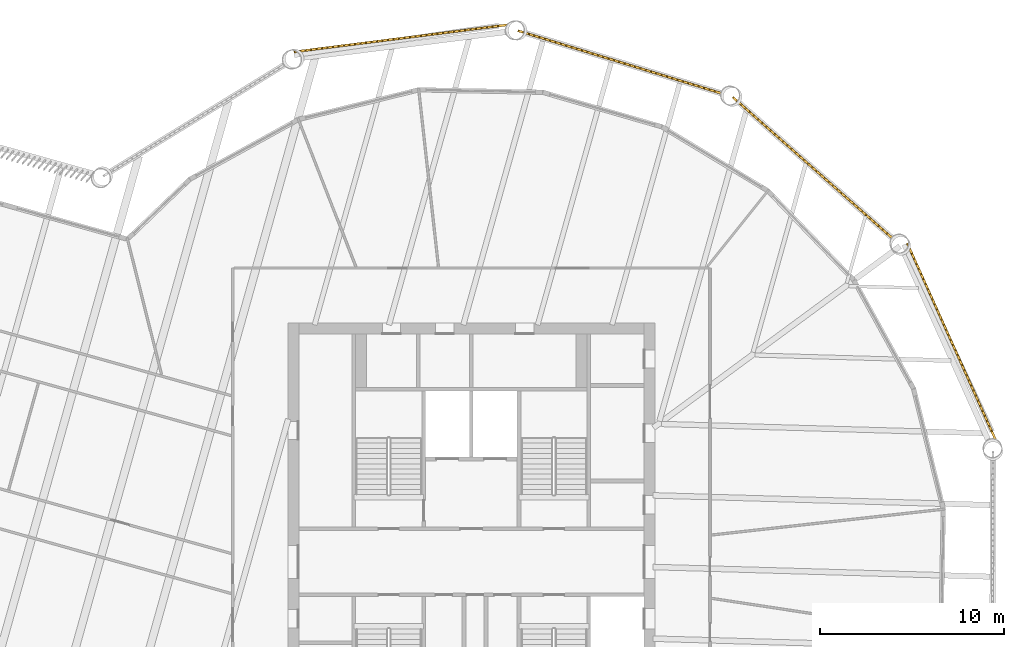
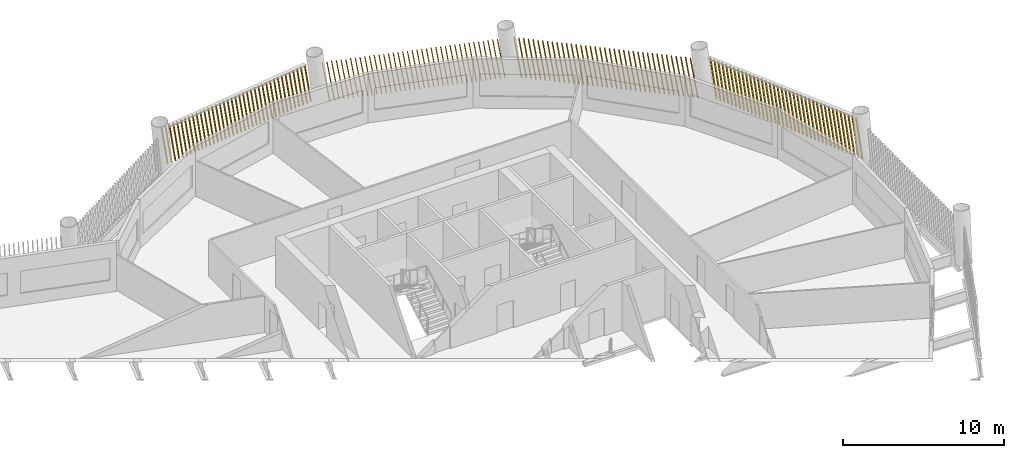
# One storey, part 14 of 15: 4 shading devices.
"""IFC4 building model written with IfcOpenShell, lengths in metres."""

from ifc_helpers import new_model, si_unit, direction, frame, frame_2d, origin, place, context, subcontext, project, spatial, rectangle, composite_profile, extrude, material, type_object, element, save


model = new_model("IFC4")

# Units and contexts
model_context = context("Model", 3, precision=1e-05, world=origin(), true_north=direction((0.0, 1.0)))
body_context = subcontext(model_context, "Body", "Model", "MODEL_VIEW")
ifc_project = project(units=[si_unit("LENGTHUNIT", "METRE"), si_unit("AREAUNIT", "SQUARE_METRE"), si_unit("VOLUMEUNIT", "CUBIC_METRE"), si_unit("PLANEANGLEUNIT", "RADIAN"), si_unit("MASSUNIT", "GRAM", prefix="KILO")], contexts=[model_context])

# Site, building, storey
site_placement = place(None, origin())
site = spatial("IfcSite", under=ifc_project, at=site_placement, CompositionType="ELEMENT")
building_placement = place(site_placement, origin())
building = spatial("IfcBuilding", under=site, at=building_placement, Name="Tarsis Ring Headquarters", CompositionType="ELEMENT")
storey_placement = place(building_placement, frame((0.0, 0.0, 219.89990234375)))
storey = spatial("IfcBuildingStorey", under=building, at=storey_placement, Name="L51", CompositionType="ELEMENT", Elevation=219.89990234375)

# Shading devices
ifc_material = material(Name="Terracotta baguette", Category="masonry")
shading_device_type = type_object("IfcShadingDeviceType", Name="Terracotta baguette screen", PredefinedType="USERDEFINED", material=ifc_material)
shading_device_1_placement = place(storey_placement, frame((28.549072265625, 6.657958984375, 0.0), z_axis=(0.0, 0.0, 1.0), x_axis=(-0.409744981009, 0.912208355941, 0.0)))
element("IfcShadingDevice", 1, at=shading_device_1_placement, inside=storey, type_object=shading_device_type, Name="Baguette screen L51-10", ObjectType="Terracotta baguette screen", PredefinedType="USERDEFINED", context=body_context, shape_type="SweptSolid", body=[
    extrude(composite_profile([rectangle(XDim=0.06005859375, YDim=0.1201171875, at=frame_2d((0.030029296875, 0.0))), rectangle(XDim=0.06005859375, YDim=0.1201171875, at=frame_2d((0.33251953125, 0.0))), rectangle(XDim=0.06005859375, YDim=0.1201171875, at=frame_2d((0.634765625, 0.0))), rectangle(XDim=0.06005859375, YDim=0.1201171875, at=frame_2d((0.937255859375, 0.0))), rectangle(XDim=0.06005859375, YDim=0.1201171875, at=frame_2d((1.239501953125, 0.0))), rectangle(XDim=0.06005859375, YDim=0.1201171875, at=frame_2d((1.5419921875, 0.0))), rectangle(XDim=0.06005859375, YDim=0.1201171875, at=frame_2d((1.844482421875, 0.0))), rectangle(XDim=0.06005859375, YDim=0.1201171875, at=frame_2d((2.146728515625, 0.0))), rectangle(XDim=0.06005859375, YDim=0.1201171875, at=frame_2d((2.44921875, 0.0))), rectangle(XDim=0.06005859375, YDim=0.1201171875, at=frame_2d((2.751708984375, 0.0))), rectangle(XDim=0.06005859375, YDim=0.1201171875, at=frame_2d((3.053955078125, 0.0))), rectangle(XDim=0.06005859375, YDim=0.1201171875, at=frame_2d((3.3564453125, 0.0))), rectangle(XDim=0.06005859375, YDim=0.1201171875, at=frame_2d((3.65869140625, 0.0))), rectangle(XDim=0.06005859375, YDim=0.1201171875, at=frame_2d((3.961181640625, 0.0))), rectangle(XDim=0.06005859375, YDim=0.1201171875, at=frame_2d((4.263671875, 0.0))), rectangle(XDim=0.06005859375, YDim=0.1201171875, at=frame_2d((4.56591796875, 0.0))), rectangle(XDim=0.06005859375, YDim=0.1201171875, at=frame_2d((4.868408203125, 0.0))), rectangle(XDim=0.06005859375, YDim=0.1201171875, at=frame_2d((5.1708984375, 0.0))), rectangle(XDim=0.06005859375, YDim=0.1201171875, at=frame_2d((5.47314453125, 0.0))), rectangle(XDim=0.06005859375, YDim=0.1201171875, at=frame_2d((5.775634765625, 0.0))), rectangle(XDim=0.06005859375, YDim=0.1201171875, at=frame_2d((6.077880859375, 0.0))), rectangle(XDim=0.06005859375, YDim=0.1201171875, at=frame_2d((6.38037109375, 0.0))), rectangle(XDim=0.06005859375, YDim=0.1201171875, at=frame_2d((6.682861328125, 0.0))), rectangle(XDim=0.06005859375, YDim=0.1201171875, at=frame_2d((6.985107421875, 0.0))), rectangle(XDim=0.06005859375, YDim=0.1201171875, at=frame_2d((7.28759765625, 0.0))), rectangle(XDim=0.06005859375, YDim=0.1201171875, at=frame_2d((7.590087890625, 0.0))), rectangle(XDim=0.06005859375, YDim=0.1201171875, at=frame_2d((7.892333984375, 0.0))), rectangle(XDim=0.06005859375, YDim=0.1201171875, at=frame_2d((8.19482421875, 0.0))), rectangle(XDim=0.06005859375, YDim=0.1201171875, at=frame_2d((8.4970703125, 0.0))), rectangle(XDim=0.06005859375, YDim=0.1201171875, at=frame_2d((8.799560546875, 0.0))), rectangle(XDim=0.06005859375, YDim=0.1201171875, at=frame_2d((9.10205078125, 0.0))), rectangle(XDim=0.06005859375, YDim=0.1201171875, at=frame_2d((9.404296875, 0.0))), rectangle(XDim=0.06005859375, YDim=0.1201171875, at=frame_2d((9.706787109375, 0.0))), rectangle(XDim=0.06005859375, YDim=0.1201171875, at=frame_2d((10.00927734375, 0.0))), rectangle(XDim=0.06005859375, YDim=0.1201171875, at=frame_2d((10.3115234375, 0.0))), rectangle(XDim=0.06005859375, YDim=0.1201171875, at=frame_2d((10.614013671875, 0.0))), rectangle(XDim=0.06005859375, YDim=0.1201171875, at=frame_2d((10.916259765625, 0.0))), rectangle(XDim=0.06005859375, YDim=0.1201171875, at=frame_2d((11.21875, 0.0)))]), origin(), (0.161252840437, 0.001351039643, 0.986912202854), 2.9892578125),
])
shading_device_2_placement = place(storey_placement, frame((23.018310546875, 17.552734375, 0.0), z_axis=(0.0, 0.0, 1.0), x_axis=(-0.749321758003, 0.662202930005, 0.0)))
element("IfcShadingDevice", 2, at=shading_device_2_placement, inside=storey, type_object=shading_device_type, Name="Baguette screen L51-11", ObjectType="Terracotta baguette screen", PredefinedType="USERDEFINED", context=body_context, shape_type="SweptSolid", body=[
    extrude(composite_profile([rectangle(XDim=0.06005859375, YDim=0.1201171875, at=frame_2d((0.030029296875, 0.0))), rectangle(XDim=0.06005859375, YDim=0.1201171875, at=frame_2d((0.33251953125, 0.0))), rectangle(XDim=0.06005859375, YDim=0.1201171875, at=frame_2d((0.634765625, 0.0))), rectangle(XDim=0.06005859375, YDim=0.1201171875, at=frame_2d((0.937255859375, 0.0))), rectangle(XDim=0.06005859375, YDim=0.1201171875, at=frame_2d((1.239501953125, 0.0))), rectangle(XDim=0.06005859375, YDim=0.1201171875, at=frame_2d((1.5419921875, 0.0))), rectangle(XDim=0.06005859375, YDim=0.1201171875, at=frame_2d((1.844482421875, 0.0))), rectangle(XDim=0.06005859375, YDim=0.1201171875, at=frame_2d((2.146728515625, 0.0))), rectangle(XDim=0.06005859375, YDim=0.1201171875, at=frame_2d((2.44921875, 0.0))), rectangle(XDim=0.06005859375, YDim=0.1201171875, at=frame_2d((2.751708984375, 0.0))), rectangle(XDim=0.06005859375, YDim=0.1201171875, at=frame_2d((3.053955078125, 0.0))), rectangle(XDim=0.06005859375, YDim=0.1201171875, at=frame_2d((3.3564453125, 0.0))), rectangle(XDim=0.06005859375, YDim=0.1201171875, at=frame_2d((3.65869140625, 0.0))), rectangle(XDim=0.06005859375, YDim=0.1201171875, at=frame_2d((3.961181640625, 0.0))), rectangle(XDim=0.06005859375, YDim=0.1201171875, at=frame_2d((4.263671875, 0.0))), rectangle(XDim=0.06005859375, YDim=0.1201171875, at=frame_2d((4.56591796875, 0.0))), rectangle(XDim=0.06005859375, YDim=0.1201171875, at=frame_2d((4.868408203125, 0.0))), rectangle(XDim=0.06005859375, YDim=0.1201171875, at=frame_2d((5.1708984375, 0.0))), rectangle(XDim=0.06005859375, YDim=0.1201171875, at=frame_2d((5.47314453125, 0.0))), rectangle(XDim=0.06005859375, YDim=0.1201171875, at=frame_2d((5.775634765625, 0.0))), rectangle(XDim=0.06005859375, YDim=0.1201171875, at=frame_2d((6.077880859375, 0.0))), rectangle(XDim=0.06005859375, YDim=0.1201171875, at=frame_2d((6.38037109375, 0.0))), rectangle(XDim=0.06005859375, YDim=0.1201171875, at=frame_2d((6.682861328125, 0.0))), rectangle(XDim=0.06005859375, YDim=0.1201171875, at=frame_2d((6.985107421875, 0.0))), rectangle(XDim=0.06005859375, YDim=0.1201171875, at=frame_2d((7.28759765625, 0.0))), rectangle(XDim=0.06005859375, YDim=0.1201171875, at=frame_2d((7.590087890625, 0.0))), rectangle(XDim=0.06005859375, YDim=0.1201171875, at=frame_2d((7.892333984375, 0.0))), rectangle(XDim=0.06005859375, YDim=0.1201171875, at=frame_2d((8.19482421875, 0.0))), rectangle(XDim=0.06005859375, YDim=0.1201171875, at=frame_2d((8.4970703125, 0.0))), rectangle(XDim=0.06005859375, YDim=0.1201171875, at=frame_2d((8.799560546875, 0.0))), rectangle(XDim=0.06005859375, YDim=0.1201171875, at=frame_2d((9.10205078125, 0.0))), rectangle(XDim=0.06005859375, YDim=0.1201171875, at=frame_2d((9.404296875, 0.0))), rectangle(XDim=0.06005859375, YDim=0.1201171875, at=frame_2d((9.706787109375, 0.0))), rectangle(XDim=0.06005859375, YDim=0.1201171875, at=frame_2d((10.00927734375, 0.0))), rectangle(XDim=0.06005859375, YDim=0.1201171875, at=frame_2d((10.3115234375, 0.0))), rectangle(XDim=0.06005859375, YDim=0.1201171875, at=frame_2d((10.614013671875, 0.0))), rectangle(XDim=0.06005859375, YDim=0.1201171875, at=frame_2d((10.916259765625, 0.0))), rectangle(XDim=0.06005859375, YDim=0.1201171875, at=frame_2d((11.21875, 0.0)))]), origin(), (0.159203194082, 0.001332392544, 0.98724493806), 2.98828125),
])
shading_device_3_placement = place(storey_placement, frame((13.73681640625, 25.480224609375, 0.0), z_axis=(0.0, 0.0, 1.0), x_axis=(-0.955659251221, 0.294476397179, 0.0)))
element("IfcShadingDevice", 3, at=shading_device_3_placement, inside=storey, type_object=shading_device_type, Name="Baguette screen L51-12", ObjectType="Terracotta baguette screen", PredefinedType="USERDEFINED", context=body_context, shape_type="SweptSolid", body=[
    extrude(composite_profile([rectangle(XDim=0.06005859375, YDim=0.1201171875, at=frame_2d((0.030029296875, 0.0))), rectangle(XDim=0.06005859375, YDim=0.1201171875, at=frame_2d((0.33251953125, 0.0))), rectangle(XDim=0.06005859375, YDim=0.1201171875, at=frame_2d((0.634765625, 0.0))), rectangle(XDim=0.06005859375, YDim=0.1201171875, at=frame_2d((0.937255859375, 0.0))), rectangle(XDim=0.06005859375, YDim=0.1201171875, at=frame_2d((1.239501953125, 0.0))), rectangle(XDim=0.06005859375, YDim=0.1201171875, at=frame_2d((1.5419921875, 0.0))), rectangle(XDim=0.06005859375, YDim=0.1201171875, at=frame_2d((1.844482421875, 0.0))), rectangle(XDim=0.06005859375, YDim=0.1201171875, at=frame_2d((2.146728515625, 0.0))), rectangle(XDim=0.06005859375, YDim=0.1201171875, at=frame_2d((2.44921875, 0.0))), rectangle(XDim=0.06005859375, YDim=0.1201171875, at=frame_2d((2.751708984375, 0.0))), rectangle(XDim=0.06005859375, YDim=0.1201171875, at=frame_2d((3.053955078125, 0.0))), rectangle(XDim=0.06005859375, YDim=0.1201171875, at=frame_2d((3.3564453125, 0.0))), rectangle(XDim=0.06005859375, YDim=0.1201171875, at=frame_2d((3.65869140625, 0.0))), rectangle(XDim=0.06005859375, YDim=0.1201171875, at=frame_2d((3.961181640625, 0.0))), rectangle(XDim=0.06005859375, YDim=0.1201171875, at=frame_2d((4.263671875, 0.0))), rectangle(XDim=0.06005859375, YDim=0.1201171875, at=frame_2d((4.56591796875, 0.0))), rectangle(XDim=0.06005859375, YDim=0.1201171875, at=frame_2d((4.868408203125, 0.0))), rectangle(XDim=0.06005859375, YDim=0.1201171875, at=frame_2d((5.1708984375, 0.0))), rectangle(XDim=0.06005859375, YDim=0.1201171875, at=frame_2d((5.47314453125, 0.0))), rectangle(XDim=0.06005859375, YDim=0.1201171875, at=frame_2d((5.775634765625, 0.0))), rectangle(XDim=0.06005859375, YDim=0.1201171875, at=frame_2d((6.077880859375, 0.0))), rectangle(XDim=0.06005859375, YDim=0.1201171875, at=frame_2d((6.38037109375, 0.0))), rectangle(XDim=0.06005859375, YDim=0.1201171875, at=frame_2d((6.682861328125, 0.0))), rectangle(XDim=0.06005859375, YDim=0.1201171875, at=frame_2d((6.985107421875, 0.0))), rectangle(XDim=0.06005859375, YDim=0.1201171875, at=frame_2d((7.28759765625, 0.0))), rectangle(XDim=0.06005859375, YDim=0.1201171875, at=frame_2d((7.590087890625, 0.0))), rectangle(XDim=0.06005859375, YDim=0.1201171875, at=frame_2d((7.892333984375, 0.0))), rectangle(XDim=0.06005859375, YDim=0.1201171875, at=frame_2d((8.19482421875, 0.0))), rectangle(XDim=0.06005859375, YDim=0.1201171875, at=frame_2d((8.4970703125, 0.0))), rectangle(XDim=0.06005859375, YDim=0.1201171875, at=frame_2d((8.799560546875, 0.0))), rectangle(XDim=0.06005859375, YDim=0.1201171875, at=frame_2d((9.10205078125, 0.0))), rectangle(XDim=0.06005859375, YDim=0.1201171875, at=frame_2d((9.404296875, 0.0))), rectangle(XDim=0.06005859375, YDim=0.1201171875, at=frame_2d((9.706787109375, 0.0))), rectangle(XDim=0.06005859375, YDim=0.1201171875, at=frame_2d((10.00927734375, 0.0))), rectangle(XDim=0.06005859375, YDim=0.1201171875, at=frame_2d((10.3115234375, 0.0))), rectangle(XDim=0.06005859375, YDim=0.1201171875, at=frame_2d((10.614013671875, 0.0))), rectangle(XDim=0.06005859375, YDim=0.1201171875, at=frame_2d((10.916259765625, 0.0))), rectangle(XDim=0.06005859375, YDim=0.1201171875, at=frame_2d((11.21875, 0.0)))]), origin(), (0.159203656196, 0.001333443082, 0.98724486212), 2.98828125),
])
shading_device_4_placement = place(storey_placement, frame((1.9658203125, 29.249267578125, 0.0), z_axis=(0.0, 0.0, 1.0), x_axis=(-0.992078133478, -0.125621269669, 0.0)))
element("IfcShadingDevice", 4, at=shading_device_4_placement, inside=storey, type_object=shading_device_type, Name="Baguette screen L51-13", ObjectType="Terracotta baguette screen", PredefinedType="USERDEFINED", context=body_context, shape_type="SweptSolid", body=[
    extrude(composite_profile([rectangle(XDim=0.06005859375, YDim=0.1201171875, at=frame_2d((0.030029296875, 0.0))), rectangle(XDim=0.06005859375, YDim=0.1201171875, at=frame_2d((0.33251953125, 0.0))), rectangle(XDim=0.06005859375, YDim=0.1201171875, at=frame_2d((0.634765625, 0.0))), rectangle(XDim=0.06005859375, YDim=0.1201171875, at=frame_2d((0.937255859375, 0.0))), rectangle(XDim=0.06005859375, YDim=0.1201171875, at=frame_2d((1.239501953125, 0.0))), rectangle(XDim=0.06005859375, YDim=0.1201171875, at=frame_2d((1.5419921875, 0.0))), rectangle(XDim=0.06005859375, YDim=0.1201171875, at=frame_2d((1.844482421875, 0.0))), rectangle(XDim=0.06005859375, YDim=0.1201171875, at=frame_2d((2.146728515625, 0.0))), rectangle(XDim=0.06005859375, YDim=0.1201171875, at=frame_2d((2.44921875, 0.0))), rectangle(XDim=0.06005859375, YDim=0.1201171875, at=frame_2d((2.751708984375, 0.0))), rectangle(XDim=0.06005859375, YDim=0.1201171875, at=frame_2d((3.053955078125, 0.0))), rectangle(XDim=0.06005859375, YDim=0.1201171875, at=frame_2d((3.3564453125, 0.0))), rectangle(XDim=0.06005859375, YDim=0.1201171875, at=frame_2d((3.65869140625, 0.0))), rectangle(XDim=0.06005859375, YDim=0.1201171875, at=frame_2d((3.961181640625, 0.0))), rectangle(XDim=0.06005859375, YDim=0.1201171875, at=frame_2d((4.263671875, 0.0))), rectangle(XDim=0.06005859375, YDim=0.1201171875, at=frame_2d((4.56591796875, 0.0))), rectangle(XDim=0.06005859375, YDim=0.1201171875, at=frame_2d((4.868408203125, 0.0))), rectangle(XDim=0.06005859375, YDim=0.1201171875, at=frame_2d((5.1708984375, 0.0))), rectangle(XDim=0.06005859375, YDim=0.1201171875, at=frame_2d((5.47314453125, 0.0))), rectangle(XDim=0.06005859375, YDim=0.1201171875, at=frame_2d((5.775634765625, 0.0))), rectangle(XDim=0.06005859375, YDim=0.1201171875, at=frame_2d((6.077880859375, 0.0))), rectangle(XDim=0.06005859375, YDim=0.1201171875, at=frame_2d((6.38037109375, 0.0))), rectangle(XDim=0.06005859375, YDim=0.1201171875, at=frame_2d((6.682861328125, 0.0))), rectangle(XDim=0.06005859375, YDim=0.1201171875, at=frame_2d((6.985107421875, 0.0))), rectangle(XDim=0.06005859375, YDim=0.1201171875, at=frame_2d((7.28759765625, 0.0))), rectangle(XDim=0.06005859375, YDim=0.1201171875, at=frame_2d((7.590087890625, 0.0))), rectangle(XDim=0.06005859375, YDim=0.1201171875, at=frame_2d((7.892333984375, 0.0))), rectangle(XDim=0.06005859375, YDim=0.1201171875, at=frame_2d((8.19482421875, 0.0))), rectangle(XDim=0.06005859375, YDim=0.1201171875, at=frame_2d((8.4970703125, 0.0))), rectangle(XDim=0.06005859375, YDim=0.1201171875, at=frame_2d((8.799560546875, 0.0))), rectangle(XDim=0.06005859375, YDim=0.1201171875, at=frame_2d((9.10205078125, 0.0))), rectangle(XDim=0.06005859375, YDim=0.1201171875, at=frame_2d((9.404296875, 0.0))), rectangle(XDim=0.06005859375, YDim=0.1201171875, at=frame_2d((9.706787109375, 0.0))), rectangle(XDim=0.06005859375, YDim=0.1201171875, at=frame_2d((10.00927734375, 0.0))), rectangle(XDim=0.06005859375, YDim=0.1201171875, at=frame_2d((10.3115234375, 0.0))), rectangle(XDim=0.06005859375, YDim=0.1201171875, at=frame_2d((10.614013671875, 0.0))), rectangle(XDim=0.06005859375, YDim=0.1201171875, at=frame_2d((10.916259765625, 0.0))), rectangle(XDim=0.06005859375, YDim=0.1201171875, at=frame_2d((11.21875, 0.0)))]), origin(), (0.161251896557, 0.001349575355, 0.986912359079), 2.9892578125),
])

save(model, "model.ifc")
